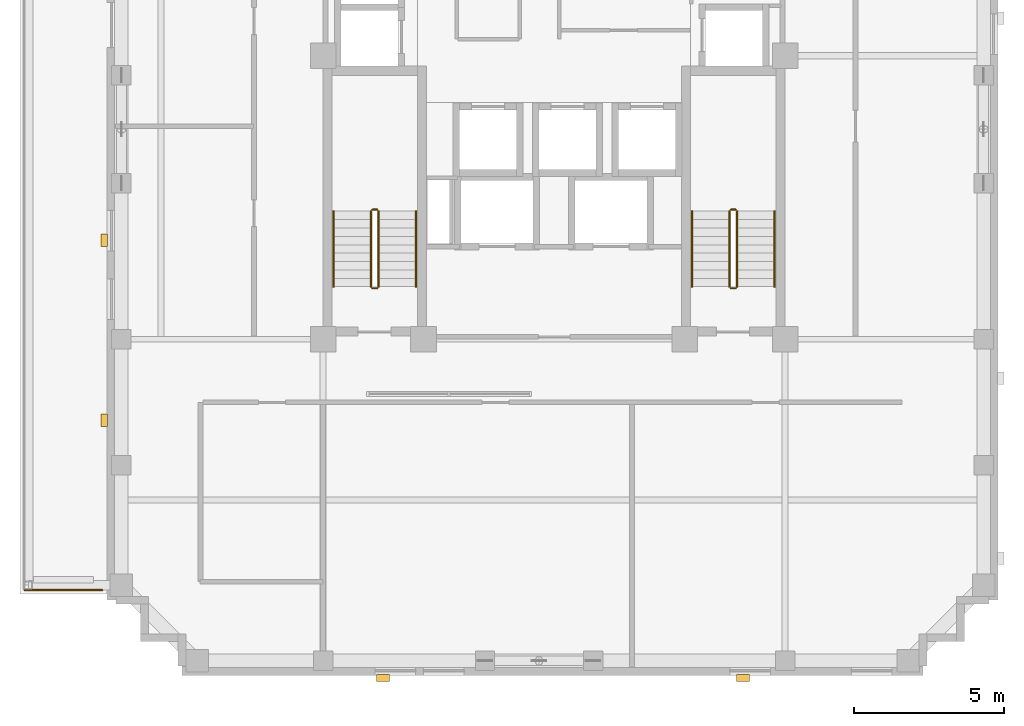
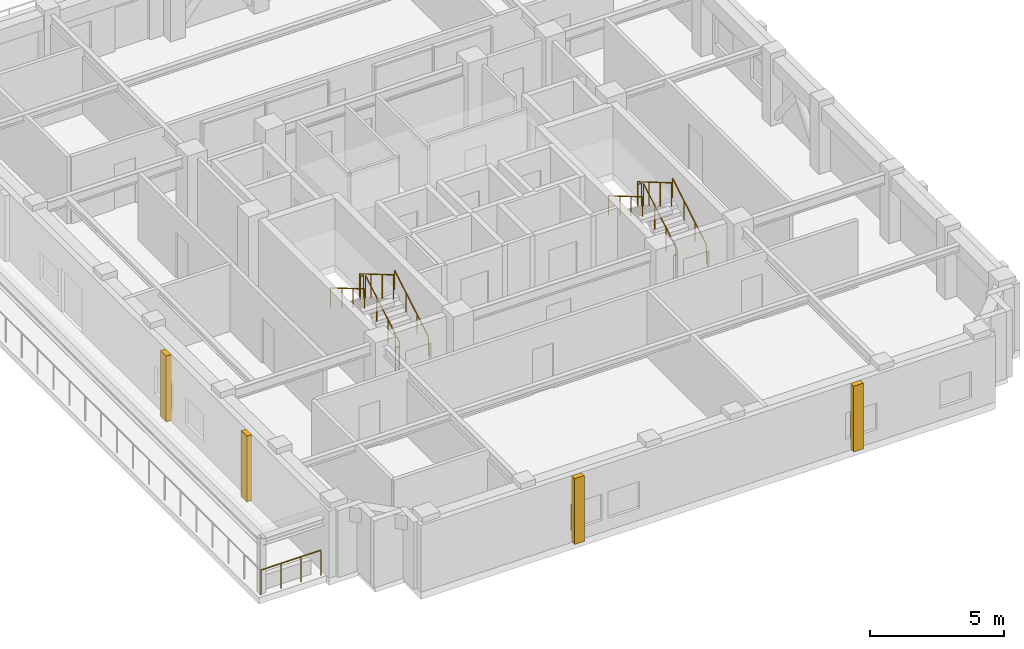
# One storey, part 13 of 14: 13 railings, 4 coverings.
"""IFC4 building model written with IfcOpenShell, lengths in metres."""

import ifcopenshell
import ifcopenshell.guid

model = None  # the IFC model being written
_history = None  # IfcOwnerHistory: only IFC2X3 demands one
_inside = {}  # id of a spatial element -> (the spatial element, [elements in it])
_under = {}  # id of a project, library or spatial element -> (it, [spatial elements below it])
_declared = {}  # id of a project -> (the project, [libraries it declares])
_typed = {}  # id of a type object -> (the type object, [elements of that type])
_made_of = {}  # id of a material, layer set ... -> (it, [elements and type objects made of it])


def new_model(schema):
    """Start an empty IFC model of exactly this schema.

    Asked for "IFC4X3", IfcOpenShell would pick the latest addendum, in which some entities
    have other attributes; the version numbers below select the first issue.
    IFC2X3 requires an IfcOwnerHistory on every rooted entity: one is made here for all.
    """
    global model, _history
    if schema == "IFC4X3":
        model = ifcopenshell.file(schema_version=(4, 3, 0, 0))
    else:
        model = ifcopenshell.file(schema=schema)
    _inside.clear()
    _under.clear()
    _declared.clear()
    _typed.clear()
    _made_of.clear()
    _history = None
    if model.schema == "IFC2X3":
        org = make("IfcOrganization", Name="unknown")
        user = make(
            "IfcPersonAndOrganization",
            ThePerson=make("IfcPerson", FamilyName="unknown"),
            TheOrganization=org,
        )
        app = make(
            "IfcApplication",
            ApplicationDeveloper=org,
            Version="unknown",
            ApplicationFullName="unknown",
            ApplicationIdentifier="unknown",
        )
        _history = make(
            "IfcOwnerHistory",
            OwningUser=user,
            OwningApplication=app,
            ChangeAction="ADDED",
            CreationDate=0,
        )
    return model


def make(cls, **values):
    """One entity of the class cls with the attributes given. An attribute that is None is left unset."""
    return model.create_entity(
        cls, **{name: value for name, value in values.items() if value is not None}
    )


def rooted(cls, **values):
    """An entity with a GlobalId (a new one), such as an element, a storey or a relation."""
    return make(cls, GlobalId=ifcopenshell.guid.new(), OwnerHistory=_history, **values)


def si_unit(unit_type, name, prefix=None):
    """IfcSIUnit, for example si_unit("LENGTHUNIT", "METRE", prefix="MILLI")."""
    return make("IfcSIUnit", UnitType=unit_type, Prefix=prefix, Name=name)


def derived_unit(unit_type, elements):
    """IfcDerivedUnit: a product of units, each with its exponent."""
    return make(
        "IfcDerivedUnit",
        Elements=[
            make("IfcDerivedUnitElement", Unit=unit, Exponent=power)
            for unit, power in elements
        ],
        UnitType=unit_type,
    )


def assignment(units):
    """IfcUnitAssignment: the units of a project."""
    return None if units is None else make("IfcUnitAssignment", Units=units)


def point(xyz):
    """IfcCartesianPoint."""
    return None if xyz is None else make("IfcCartesianPoint", Coordinates=xyz)


def direction(xyz):
    """IfcDirection."""
    return None if xyz is None else make("IfcDirection", DirectionRatios=xyz)


def frame(location, z_axis=None, x_axis=None):
    """IfcAxis2Placement3D, a coordinate frame: its origin and axes. An axis left out is left unset."""
    return make(
        "IfcAxis2Placement3D",
        Location=point(location),
        Axis=direction(z_axis),
        RefDirection=direction(x_axis),
    )


def frame_2d(location, x_axis=None):
    """IfcAxis2Placement2D, a coordinate frame in the plane: its origin and x axis."""
    return make(
        "IfcAxis2Placement2D", Location=point(location), RefDirection=direction(x_axis)
    )


def origin():
    """The frame at (0, 0, 0) with its axes left unset."""
    return frame((0.0, 0.0, 0.0))


def origin_2d():
    """The frame at (0, 0) in the plane with its x axis left unset."""
    return frame_2d((0.0, 0.0))


def place(relative_to, where):
    """IfcLocalPlacement: puts the frame where relative to a parent placement (None: the world)."""
    return make(
        "IfcLocalPlacement", PlacementRelTo=relative_to, RelativePlacement=where
    )


def context(
    kind, dimensions, precision=None, world=None, true_north=None, identifier=None
):
    """IfcGeometricRepresentationContext, for example the 3D "Model" context."""
    return make(
        "IfcGeometricRepresentationContext",
        ContextIdentifier=identifier,
        ContextType=kind,
        CoordinateSpaceDimension=dimensions,
        Precision=precision,
        WorldCoordinateSystem=world,
        TrueNorth=true_north,
    )


def subcontext(parent, identifier, kind, view, scale=None):
    """IfcGeometricRepresentationSubContext, for example "Body" below "Model"."""
    return make(
        "IfcGeometricRepresentationSubContext",
        ContextIdentifier=identifier,
        ContextType=kind,
        ParentContext=parent,
        TargetScale=scale,
        TargetView=view,
    )


def project(units=None, contexts=None):
    """IfcProject with its units and contexts."""
    return rooted(
        "IfcProject",
        Name="project",
        RepresentationContexts=contexts,
        UnitsInContext=assignment(units),
    )


def spatial(cls, under=None, at=None, **own):
    """A site, building, storey or space (cls), placed at a placement, below another one or the project."""
    s = rooted(cls, ObjectPlacement=at, **own)
    if under is not None:
        _under.setdefault(under.id(), (under, []))[1].append(s)
    return s


def profile(cls, at=None, kind="AREA", **sizes):
    """A parametric profile (cls). Its sizes go by their IFC names, for example OverallWidth=200.0."""
    return make(cls, ProfileType=kind, Position=at, **sizes)


def rectangle(**sizes):
    """IfcRectangleProfileDef."""
    return profile("IfcRectangleProfileDef", **sizes)


def circle(**sizes):
    """IfcCircleProfileDef."""
    return profile("IfcCircleProfileDef", **sizes)


def extrude(swept, where, along, depth):
    """IfcExtrudedAreaSolid: the profile swept, set in the frame where, extruded along a direction by depth."""
    return make(
        "IfcExtrudedAreaSolid",
        SweptArea=swept,
        Position=where,
        ExtrudedDirection=direction(along),
        Depth=depth,
    )


def shape(context_of_items, identifier, shape_type, items):
    """IfcShapeRepresentation: the items that make up one representation, for example the "Body"."""
    return make(
        "IfcShapeRepresentation",
        ContextOfItems=context_of_items,
        RepresentationIdentifier=identifier,
        RepresentationType=shape_type,
        Items=items,
    )


def material(Name=None, Category=None):
    """IfcMaterial."""
    return make("IfcMaterial", Name=Name, Category=Category)


def layer(
    of_material, thickness, ventilated=None, Name=None, Category=None, Priority=None
):
    """IfcMaterialLayer: one layer of a wall or slab, of a material (None: an air gap)."""
    return make(
        "IfcMaterialLayer",
        Material=of_material,
        LayerThickness=thickness,
        IsVentilated=ventilated,
        Name=Name,
        Category=Category,
        Priority=Priority,
    )


def layer_set(layers, Name=None):
    """IfcMaterialLayerSet."""
    return make("IfcMaterialLayerSet", MaterialLayers=layers, LayerSetName=Name)


def made_of(thing, what):
    """Note that an element or type object is made of a material, layer set ...; save() writes the relation."""
    if what is not None:
        _made_of.setdefault(what.id(), (what, []))[1].append(thing)
    return thing


def type_object(cls, material=None, **own):
    """A type object (cls), such as IfcWallType, which elements share."""
    return made_of(rooted(cls, **own), material)


def element(
    cls,
    number,
    at=None,
    inside=None,
    cuts=None,
    type_object=None,
    material=None,
    context=None,
    identifier="Body",
    shape_type=None,
    held_by="IfcProductDefinitionShape",
    body=None,
    shapes=None,
    **own,
):
    """One element of the class cls, such as IfcWall. Its Tag is "e" and its number.

    at: its placement. inside: the storey or other place that contains it. cuts: it is an
    opening in that element (IfcRelVoidsElement). A single representation is given by context,
    identifier, shape_type and body (its items); several are given by shapes. held_by: the class
    of the entity that holds the representations. save() writes the other relations.
    """
    e = rooted(cls, Tag="e%d" % number, ObjectPlacement=at, **own)
    if body is not None:
        shapes = [shape(context, identifier, shape_type, body)]
    if shapes is not None:
        e.Representation = make(held_by, Representations=shapes)
    if inside is not None:
        _inside.setdefault(inside.id(), (inside, []))[1].append(e)
    if cuts is not None:
        rooted(
            "IfcRelVoidsElement", RelatingBuildingElement=cuts, RelatedOpeningElement=e
        )
    if type_object is not None:
        _typed.setdefault(type_object.id(), (type_object, []))[1].append(e)
    return made_of(e, material)


def aggregate(whole, parts):
    """IfcRelAggregates: a whole, such as a stair, and the parts it consists of."""
    return rooted("IfcRelAggregates", RelatingObject=whole, RelatedObjects=parts)


def save(model, path):
    """Write the relations noted so far, then the file.

    IfcRelAggregates (storeys below a building ...), IfcRelContainedInSpatialStructure (elements
    in a storey), IfcRelDefinesByType, IfcRelAssociatesMaterial and IfcRelDeclares: one each for
    every whole, place, type object, material and project.
    """
    for whole, parts in _under.values():
        aggregate(whole, parts)
    for where, things in _inside.values():
        rooted(
            "IfcRelContainedInSpatialStructure",
            RelatedElements=things,
            RelatingStructure=where,
        )
    for kind, things in _typed.values():
        rooted("IfcRelDefinesByType", RelatedObjects=things, RelatingType=kind)
    for what, things in _made_of.values():
        rooted("IfcRelAssociatesMaterial", RelatedObjects=things, RelatingMaterial=what)
    for by, libraries in _declared.values():
        rooted("IfcRelDeclares", RelatingContext=by, RelatedDefinitions=libraries)
    model.write(path)


model = new_model("IFC4")

# Units and contexts
model_context = context("Model", 3, precision=1e-05, world=origin(), true_north=direction((0.0, 1.0)))
body_context = subcontext(model_context, "Body", "Model", "MODEL_VIEW")
ifc_project = project(units=[si_unit("LENGTHUNIT", "METRE"), si_unit("AREAUNIT", "SQUARE_METRE"), si_unit("VOLUMEUNIT", "CUBIC_METRE"), si_unit("PLANEANGLEUNIT", "RADIAN"), si_unit("MASSUNIT", "GRAM", prefix="KILO"), derived_unit("THERMALTRANSMITTANCEUNIT", [(si_unit("MASSUNIT", "GRAM", prefix="KILO"), 1), (si_unit("TIMEUNIT", "SECOND"), -3), (si_unit("THERMODYNAMICTEMPERATUREUNIT", "KELVIN"), -1)])], contexts=[model_context])

# Site, building, storey
site_placement = place(None, origin())
site = spatial("IfcSite", under=ifc_project, at=site_placement, CompositionType="ELEMENT")
building_placement = place(site_placement, origin())
building = spatial("IfcBuilding", under=site, at=building_placement, Name="Korrvale Station Residences", CompositionType="ELEMENT")
storey_placement = place(building_placement, frame((0.0, 0.0, 174.39990234375)))
storey = spatial("IfcBuildingStorey", under=building, at=storey_placement, Name="L50", CompositionType="ELEMENT", Elevation=174.39990234375)

# Coverings
ifc_material_1 = material(Name="Architectural precast concrete C45/55", Category="concrete")
ifc_layer = layer(ifc_material_1, 0.219970703125, Name="Architectural precast concrete C45/55")
ifc_layer_set = layer_set([ifc_layer], Name="Architectural precast concrete C45/55")
covering_type = type_object("IfcCoveringType", Name="COV-PIER-400", PredefinedType="CLADDING", material=ifc_layer_set)
for number, where, z_axis, x_axis, name in (
    (1, (31.800048828125, 3.7099609375, 0.02490234375), (0.0, 0.0, 1.0), (1.0, 0.0, 0.0), "L50 Architectural Precast Facade Pier 01"),
    (2, (19.800048828125, 3.7099609375, 0.02490234375), (0.0, 0.0, 1.0), (1.0, 0.0, 0.0), "L50 Architectural Precast Facade Pier 02"),
    (3, (10.510009765625, 12.300048828125, 0.02490234375), (0.0, 0.0, 1.0), (0.0, 1.0, 0.0), "L50 Architectural Precast Facade Pier 05"),
    (4, (10.510009765625, 18.300048828125, 0.02490234375), (0.0, 0.0, 1.0), (0.0, 1.0, 0.0), "L50 Architectural Precast Facade Pier 06"),
):
    element("IfcCovering", number, at=place(storey_placement, frame(where, z_axis=z_axis, x_axis=x_axis)), inside=storey, type_object=covering_type, Name=name, PredefinedType="CLADDING", context=body_context, shape_type="SweptSolid", body=[
        extrude(rectangle(XDim=0.419921875, YDim=0.219970703125, at=origin_2d()), origin(), (0.0, 0.0, 1.0), 2.989990234375),
    ])

# Railings
ifc_material_2 = material(Name="Brushed stainless-steel continuous stair handrail", Category="steel")
railing_type_1 = type_object("IfcRailingType", Name="RLG-SHND-900", PredefinedType="HANDRAIL", material=ifc_material_2)
railing_1_placement = place(storey_placement, frame((20.89990234375, 16.75, 0.1650390625)))
element("IfcRailing", 5, at=railing_1_placement, inside=storey, type_object=railing_type_1, Name="L50 ST-1 stair handrail 1", PredefinedType="HANDRAIL", context=body_context, shape_type="SweptSolid", body=[
    extrude(circle(Radius=0.02392578125, at=origin_2d()), frame((0.0, 0.0, 0.8759765625), z_axis=(0.0, 0.86152411907, 0.507716645641), x_axis=(-1.0, 0.0, 0.0)), (0.0, 0.0, 1.0), 2.925048828125),
    extrude(circle(Radius=0.02099609375, at=origin_2d()), origin(), (0.0, 0.0, 1.0), 0.851806640625),
    extrude(circle(Radius=0.02099609375, at=origin_2d()), frame((0.0, 0.840087890625, 0.4951171875)), (0.0, 0.0, 1.0), 0.851806640625),
    extrude(circle(Radius=0.02099609375, at=origin_2d()), frame((0.0, 1.679931640625, 0.989990234375)), (0.0, 0.0, 1.0), 0.851806640625),
    extrude(circle(Radius=0.02099609375, at=origin_2d()), frame((0.0, 2.52001953125, 1.485107421875)), (0.0, 0.0, 1.0), 0.851806640625),
])
railing_2_placement = place(storey_placement, frame((18.14990234375, 19.27001953125, 1.815185546875)))
element("IfcRailing", 6, at=railing_2_placement, inside=storey, type_object=railing_type_1, Name="L50 ST-1 stair handrail 2", PredefinedType="HANDRAIL", context=body_context, shape_type="SweptSolid", body=[
    extrude(circle(Radius=0.02392578125, at=origin_2d()), frame((0.0, 0.0, 0.8759765625), z_axis=(0.0, -0.861560626758, 0.507654692109), x_axis=(1.0, 0.0, 0.0)), (0.0, 0.0, 1.0), 2.925048828125),
    extrude(circle(Radius=0.02099609375, at=origin_2d()), origin(), (0.0, 0.0, 1.0), 0.851806640625),
    extrude(circle(Radius=0.02099609375, at=origin_2d()), frame((0.0, -0.840087890625, 0.494873046875)), (0.0, 0.0, 1.0), 0.851806640625),
    extrude(circle(Radius=0.02099609375, at=origin_2d()), frame((0.0, -1.679931640625, 0.989990234375)), (0.0, 0.0, 1.0), 0.851806640625),
    extrude(circle(Radius=0.02099609375, at=origin_2d()), frame((0.0, -2.52001953125, 1.48486328125)), (0.0, 0.0, 1.0), 0.851806640625),
])
railing_3_placement = place(storey_placement, frame((32.85009765625, 16.75, 0.1650390625)))
element("IfcRailing", 7, at=railing_3_placement, inside=storey, type_object=railing_type_1, Name="L50 ST-2 stair handrail 1", PredefinedType="HANDRAIL", context=body_context, shape_type="SweptSolid", body=[
    extrude(circle(Radius=0.02392578125, at=origin_2d()), frame((0.0, 0.0, 0.8759765625), z_axis=(0.0, 0.86152411907, 0.507716645641), x_axis=(-1.0, 0.0, 0.0)), (0.0, 0.0, 1.0), 2.925048828125),
    extrude(circle(Radius=0.02099609375, at=origin_2d()), origin(), (0.0, 0.0, 1.0), 0.851806640625),
    extrude(circle(Radius=0.02099609375, at=origin_2d()), frame((0.0, 0.840087890625, 0.4951171875)), (0.0, 0.0, 1.0), 0.851806640625),
    extrude(circle(Radius=0.02099609375, at=origin_2d()), frame((0.0, 1.679931640625, 0.989990234375)), (0.0, 0.0, 1.0), 0.851806640625),
    extrude(circle(Radius=0.02099609375, at=origin_2d()), frame((0.0, 2.52001953125, 1.485107421875)), (0.0, 0.0, 1.0), 0.851806640625),
])
railing_4_placement = place(storey_placement, frame((30.10009765625, 19.27001953125, 1.815185546875)))
element("IfcRailing", 8, at=railing_4_placement, inside=storey, type_object=railing_type_1, Name="L50 ST-2 stair handrail 2", PredefinedType="HANDRAIL", context=body_context, shape_type="SweptSolid", body=[
    extrude(circle(Radius=0.02392578125, at=origin_2d()), frame((0.0, 0.0, 0.8759765625), z_axis=(0.0, -0.861560626758, 0.507654692109), x_axis=(1.0, 0.0, 0.0)), (0.0, 0.0, 1.0), 2.925048828125),
    extrude(circle(Radius=0.02099609375, at=origin_2d()), origin(), (0.0, 0.0, 1.0), 0.851806640625),
    extrude(circle(Radius=0.02099609375, at=origin_2d()), frame((0.0, -0.840087890625, 0.494873046875)), (0.0, 0.0, 1.0), 0.851806640625),
    extrude(circle(Radius=0.02099609375, at=origin_2d()), frame((0.0, -1.679931640625, 0.989990234375)), (0.0, 0.0, 1.0), 0.851806640625),
    extrude(circle(Radius=0.02099609375, at=origin_2d()), frame((0.0, -2.52001953125, 1.48486328125)), (0.0, 0.0, 1.0), 0.851806640625),
])
ifc_material_3 = material(Name="Galvanised painted tubular steel stair guard", Category="steel")
railing_type_2 = type_object("IfcRailingType", Name="RLG-STR-1100", PredefinedType="GUARDRAIL", material=ifc_material_3)
railing_5_placement = place(storey_placement, frame((19.64990234375, 16.75, 0.1650390625)))
element("IfcRailing", 9, at=railing_5_placement, inside=storey, type_object=railing_type_2, Name="L50 ST-1 stair guard 1", PredefinedType="GUARDRAIL", context=body_context, shape_type="SweptSolid", body=[
    extrude(circle(Radius=0.02392578125, at=origin_2d()), frame((0.0, 0.0, 1.076171875), z_axis=(0.0, 0.86152411907, 0.507716645641), x_axis=(-1.0, 0.0, 0.0)), (0.0, 0.0, 1.0), 2.925048828125),
    extrude(circle(Radius=0.02099609375, at=origin_2d()), origin(), (0.0, 0.0, 1.0), 1.052001953125),
    extrude(circle(Radius=0.02099609375, at=origin_2d()), frame((0.0, 0.840087890625, 0.4951171875)), (0.0, 0.0, 1.0), 1.052001953125),
    extrude(circle(Radius=0.02099609375, at=origin_2d()), frame((0.0, 1.679931640625, 0.989990234375)), (0.0, 0.0, 1.0), 1.052001953125),
    extrude(circle(Radius=0.02099609375, at=origin_2d()), frame((0.0, 2.52001953125, 1.485107421875)), (0.0, 0.0, 1.0), 1.052001953125),
])
railing_6_placement = place(storey_placement, frame((19.60009765625, 19.320068359375, 1.650146484375)))
element("IfcRailing", 10, at=railing_6_placement, inside=storey, type_object=railing_type_2, Name="L50 ST-1 stair guard 2", PredefinedType="GUARDRAIL", context=body_context, shape_type="SweptSolid", body=[
    extrude(circle(Radius=0.02392578125, at=origin_2d()), frame((0.0, 0.0, 1.076171875), z_axis=(-1.0, 0.0, 0.0), x_axis=(0.0, -1.0, 0.0)), (0.0, 0.0, 1.0), 0.150146484375),
    extrude(circle(Radius=0.02099609375, at=origin_2d()), origin(), (0.0, 0.0, 1.0), 1.052001953125),
    extrude(circle(Radius=0.02099609375, at=origin_2d()), frame((-0.150146484375, 0.0, 0.0)), (0.0, 0.0, 1.0), 1.052001953125),
])
railing_7_placement = place(storey_placement, frame((19.39990234375, 19.27001953125, 1.815185546875)))
element("IfcRailing", 11, at=railing_7_placement, inside=storey, type_object=railing_type_2, Name="L50 ST-1 stair guard 3", PredefinedType="GUARDRAIL", context=body_context, shape_type="SweptSolid", body=[
    extrude(circle(Radius=0.02392578125, at=origin_2d()), frame((0.0, 0.0, 1.076171875), z_axis=(0.0, -0.861560626758, 0.507654692109), x_axis=(1.0, 0.0, 0.0)), (0.0, 0.0, 1.0), 2.925048828125),
    extrude(circle(Radius=0.02099609375, at=origin_2d()), origin(), (0.0, 0.0, 1.0), 1.052001953125),
    extrude(circle(Radius=0.02099609375, at=origin_2d()), frame((0.0, -0.840087890625, 0.494873046875)), (0.0, 0.0, 1.0), 1.052001953125),
    extrude(circle(Radius=0.02099609375, at=origin_2d()), frame((0.0, -1.679931640625, 0.989990234375)), (0.0, 0.0, 1.0), 1.052001953125),
    extrude(circle(Radius=0.02099609375, at=origin_2d()), frame((0.0, -2.52001953125, 1.48486328125)), (0.0, 0.0, 1.0), 1.052001953125),
])
railing_8_placement = place(storey_placement, frame((19.60009765625, 16.699951171875, 0.0)))
element("IfcRailing", 12, at=railing_8_placement, inside=storey, type_object=railing_type_2, Name="L50 ST-1 stair guard 4", PredefinedType="GUARDRAIL", context=body_context, shape_type="SweptSolid", body=[
    extrude(circle(Radius=0.02392578125, at=origin_2d()), frame((0.0, 0.0, 1.076171875), z_axis=(-1.0, 0.0, 0.0), x_axis=(0.0, -1.0, 0.0)), (0.0, 0.0, 1.0), 0.150146484375),
    extrude(circle(Radius=0.02099609375, at=origin_2d()), origin(), (0.0, 0.0, 1.0), 1.052001953125),
    extrude(circle(Radius=0.02099609375, at=origin_2d()), frame((-0.150146484375, 0.0, 0.0)), (0.0, 0.0, 1.0), 1.052001953125),
])
railing_9_placement = place(storey_placement, frame((31.60009765625, 16.75, 0.1650390625)))
element("IfcRailing", 13, at=railing_9_placement, inside=storey, type_object=railing_type_2, Name="L50 ST-2 stair guard 1", PredefinedType="GUARDRAIL", context=body_context, shape_type="SweptSolid", body=[
    extrude(circle(Radius=0.02392578125, at=origin_2d()), frame((0.0, 0.0, 1.076171875), z_axis=(0.0, 0.86152411907, 0.507716645641), x_axis=(-1.0, 0.0, 0.0)), (0.0, 0.0, 1.0), 2.925048828125),
    extrude(circle(Radius=0.02099609375, at=origin_2d()), origin(), (0.0, 0.0, 1.0), 1.052001953125),
    extrude(circle(Radius=0.02099609375, at=origin_2d()), frame((0.0, 0.840087890625, 0.4951171875)), (0.0, 0.0, 1.0), 1.052001953125),
    extrude(circle(Radius=0.02099609375, at=origin_2d()), frame((0.0, 1.679931640625, 0.989990234375)), (0.0, 0.0, 1.0), 1.052001953125),
    extrude(circle(Radius=0.02099609375, at=origin_2d()), frame((0.0, 2.52001953125, 1.485107421875)), (0.0, 0.0, 1.0), 1.052001953125),
])
railing_10_placement = place(storey_placement, frame((31.550048828125, 19.320068359375, 1.650146484375)))
element("IfcRailing", 14, at=railing_10_placement, inside=storey, type_object=railing_type_2, Name="L50 ST-2 stair guard 2", PredefinedType="GUARDRAIL", context=body_context, shape_type="SweptSolid", body=[
    extrude(circle(Radius=0.02392578125, at=origin_2d()), frame((0.0, 0.0, 1.076171875), z_axis=(-1.0, 0.0, 0.0), x_axis=(0.0, -1.0, 0.0)), (0.0, 0.0, 1.0), 0.150146484375),
    extrude(circle(Radius=0.02099609375, at=origin_2d()), origin(), (0.0, 0.0, 1.0), 1.052001953125),
    extrude(circle(Radius=0.02099609375, at=origin_2d()), frame((-0.150146484375, 0.0, 0.0)), (0.0, 0.0, 1.0), 1.052001953125),
])
railing_11_placement = place(storey_placement, frame((31.35009765625, 19.27001953125, 1.815185546875)))
element("IfcRailing", 15, at=railing_11_placement, inside=storey, type_object=railing_type_2, Name="L50 ST-2 stair guard 3", PredefinedType="GUARDRAIL", context=body_context, shape_type="SweptSolid", body=[
    extrude(circle(Radius=0.02392578125, at=origin_2d()), frame((0.0, 0.0, 1.076171875), z_axis=(0.0, -0.861560626758, 0.507654692109), x_axis=(1.0, 0.0, 0.0)), (0.0, 0.0, 1.0), 2.925048828125),
    extrude(circle(Radius=0.02099609375, at=origin_2d()), origin(), (0.0, 0.0, 1.0), 1.052001953125),
    extrude(circle(Radius=0.02099609375, at=origin_2d()), frame((0.0, -0.840087890625, 0.494873046875)), (0.0, 0.0, 1.0), 1.052001953125),
    extrude(circle(Radius=0.02099609375, at=origin_2d()), frame((0.0, -1.679931640625, 0.989990234375)), (0.0, 0.0, 1.0), 1.052001953125),
    extrude(circle(Radius=0.02099609375, at=origin_2d()), frame((0.0, -2.52001953125, 1.48486328125)), (0.0, 0.0, 1.0), 1.052001953125),
])
railing_12_placement = place(storey_placement, frame((31.550048828125, 16.699951171875, 0.0)))
element("IfcRailing", 16, at=railing_12_placement, inside=storey, type_object=railing_type_2, Name="L50 ST-2 stair guard 4", PredefinedType="GUARDRAIL", context=body_context, shape_type="SweptSolid", body=[
    extrude(circle(Radius=0.02392578125, at=origin_2d()), frame((0.0, 0.0, 1.076171875), z_axis=(-1.0, 0.0, 0.0), x_axis=(0.0, -1.0, 0.0)), (0.0, 0.0, 1.0), 0.150146484375),
    extrude(circle(Radius=0.02099609375, at=origin_2d()), origin(), (0.0, 0.0, 1.0), 1.052001953125),
    extrude(circle(Radius=0.02099609375, at=origin_2d()), frame((-0.150146484375, 0.0, 0.0)), (0.0, 0.0, 1.0), 1.052001953125),
])
ifc_material_4 = material(Name="Laminated safety glass and stainless steel balustrade", Category="steel")
railing_type_3 = type_object("IfcRailingType", Name="RLG-TER-1150", PredefinedType="GUARDRAIL", material=ifc_material_4)
railing_13_placement = place(storey_placement, frame((7.860107421875, 6.639892578125, 0.0)))
element("IfcRailing", 17, at=railing_13_placement, inside=storey, type_object=railing_type_3, Name="L50 Setback Terrace Perimeter Guard TER-L50-W-S", PredefinedType="GUARDRAIL", context=body_context, shape_type="SweptSolid", body=[
    extrude(circle(Radius=0.02392578125, at=origin_2d()), frame((0.0, 0.0, 1.1259765625), z_axis=(1.0, 0.0, 0.0), x_axis=(0.0, 1.0, 0.0)), (0.0, 0.0, 1.0), 2.579833984375),
    extrude(circle(Radius=0.02099609375, at=origin_2d()), origin(), (0.0, 0.0, 1.0), 1.101806640625),
    extrude(circle(Radius=0.02099609375, at=origin_2d()), frame((0.85986328125, 0.0, 0.0)), (0.0, 0.0, 1.0), 1.101806640625),
    extrude(circle(Radius=0.02099609375, at=origin_2d()), frame((1.719970703125, 0.0, 0.0)), (0.0, 0.0, 1.0), 1.101806640625),
    extrude(circle(Radius=0.02099609375, at=origin_2d()), frame((2.579833984375, 0.0, 0.0)), (0.0, 0.0, 1.0), 1.101806640625),
])

save(model, "model.ifc")
